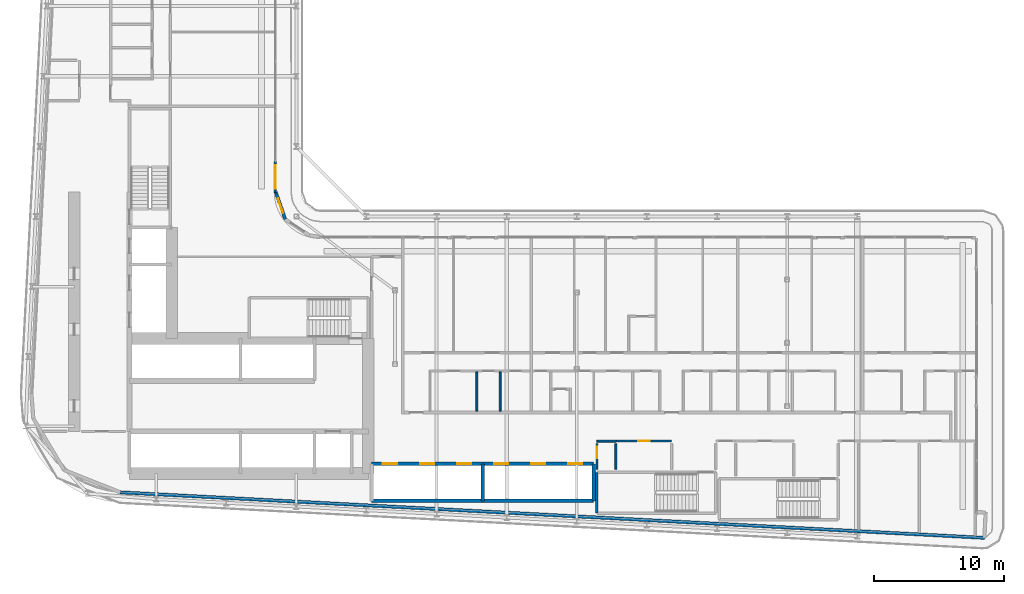
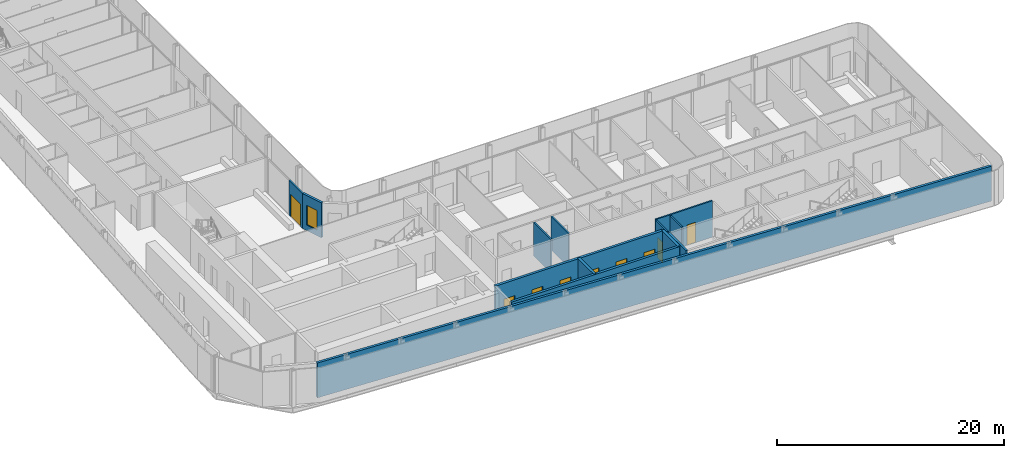
# One storey, part 14 of 28: 14 walls, 9 doors, 1 window, 10 openings.
"""IFC4 building model written with IfcOpenShell, lengths in metres."""

from ifc_helpers import new_model, si_unit, direction, frame, frame_2d, origin, place, context, subcontext, project, spatial, rectangle, extrude, source, transform, mapped, material, layer, layer_set, type_object, element, fill, save


model = new_model("IFC4")

# Units and contexts
model_context = context("Model", 3, precision=1e-05, world=origin(), true_north=direction((0.0, 1.0)))
body_context = subcontext(model_context, "Body", "Model", "MODEL_VIEW")
ifc_project = project(units=[si_unit("LENGTHUNIT", "METRE"), si_unit("AREAUNIT", "SQUARE_METRE"), si_unit("VOLUMEUNIT", "CUBIC_METRE"), si_unit("PLANEANGLEUNIT", "RADIAN"), si_unit("MASSUNIT", "GRAM", prefix="KILO")], contexts=[model_context])

# Site, building, storey
site_placement = place(None, origin())
site = spatial("IfcSite", under=ifc_project, at=site_placement, CompositionType="ELEMENT")
building_placement = place(site_placement, origin())
building = spatial("IfcBuilding", under=site, at=building_placement, Name="Kheshtan School and Residences Tower", CompositionType="ELEMENT")
storey_placement = place(building_placement, frame((0.0, 0.0, 133.10009765625)))
storey = spatial("IfcBuildingStorey", under=building, at=storey_placement, Name="L31", CompositionType="ELEMENT", Elevation=133.10009765625)

# Wall, opening, window
ifc_material_1 = material(Name="Concrete C40/50 with ceramic cladding and mineral wool insulation", Category="concrete")
ifc_layer_1 = layer(ifc_material_1, 0.25)
ifc_layer_set_1 = layer_set([ifc_layer_1], Name="External wall 250 ceramic clad")
wall_type_1 = type_object("IfcWallType", Name="External wall 250 ceramic clad", PredefinedType="SOLIDWALL", material=ifc_layer_set_1)
wall_1_placement = place(storey_placement, frame((46.01806640625, 47.470947265625, 0.0), z_axis=(0.0, 0.0, 1.0), x_axis=(0.328791208903, -0.944402637093, 0.0)))
wall_1 = element("IfcWall", 1, at=wall_1_placement, inside=storey, type_object=wall_type_1, Name="External wall L31 9", PredefinedType="SOLIDWALL", context=body_context, shape_type="SweptSolid", body=[
    extrude(rectangle(XDim=2.20458984375, YDim=0.25, at=frame_2d((1.102294921875, 0.0))), origin(), (0.0, 0.0, 1.0), 3.75),
])
opening_1_placement = place(wall_1_placement, frame((0.5029296875, 0.0, 0.60009765625)))
opening_1 = element("IfcOpeningElement", 2, at=opening_1_placement, cuts=wall_1, Name="Opening WN-E", PredefinedType="OPENING", context=body_context, shape_type="SweptSolid", body=[
    extrude(rectangle(XDim=1.199951171875, YDim=2.10009765625, at=frame_2d((0.60009765625, 1.050048828125))), frame((0.0, 0.135009765625, 0.0), z_axis=(0.0, -1.0, 0.0), x_axis=(1.0, 0.0, 0.0)), (0.0, 0.0, 1.0), 0.27001953125),
])
ifc_material_2 = material(Name="Clear low-e glass in thermally broken aluminium frame", Category="aluminium")
window_type = type_object("IfcWindowType", Name="Window WN-E", PartitioningType="SINGLE_PANEL", PredefinedType="WINDOW", material=ifc_material_2)
shared_shape_1 = source(origin(), body_context, "Body", "SweptSolid", [
    extrude(rectangle(XDim=1.199951171875, YDim=2.10009765625, at=frame_2d((0.60009765625, 1.050048828125))), frame((0.0, 0.030029296875, 0.0), z_axis=(0.0, -1.0, 0.0), x_axis=(1.0, 0.0, 0.0)), (0.0, 0.0, 1.0), 0.06005859375),
])
window_placement = place(opening_1_placement, origin())
window = element("IfcWindow", 3, at=window_placement, inside=storey, type_object=window_type, Name="Window L31 9", OverallHeight=2.10009765625, OverallWidth=1.199951171875, PartitioningType="SINGLE_PANEL", PredefinedType="WINDOW", context=body_context, shape_type="MappedRepresentation", body=[
    mapped(shared_shape_1, transform((0.0, 0.0, 0.0), x_axis=(1.0, 0.0, 0.0), y_axis=(0.0, 1.0, 0.0), z_axis=(0.0, 0.0, 1.0), scale=1.0)),
])
fill(opening_1, window)

# Wall
wall_2_placement = place(storey_placement, frame((100.5859375, 20.85009765625, 0.0), z_axis=(0.0, 0.0, 1.0), x_axis=(-0.99861746497, 0.052565755559, 0.0)))
element("IfcWall", 4, at=wall_2_placement, inside=storey, type_object=wall_type_1, Name="External wall L31 16", PredefinedType="SOLIDWALL", context=body_context, shape_type="SweptSolid", body=[
    extrude(rectangle(XDim=66.638916015625, YDim=0.25, at=frame_2d((33.3193359375, 0.0))), origin(), (0.0, 0.0, 1.0), 3.75),
])

# Wall, opening, door
ifc_material_3 = material(Name="Aluminium frame wall with insulated infill", Category="aluminium")
ifc_layer_2 = layer(ifc_material_3, 0.14990234375)
ifc_layer_set_2 = layer_set([ifc_layer_2], Name="Glazing frame wall 150")
wall_type_2 = type_object("IfcWallType", Name="Glazing frame wall 150", PredefinedType="SOLIDWALL", material=ifc_layer_set_2)
wall_3_placement = place(storey_placement, frame((45.97509765625, 49.830078125, 0.0), z_axis=(0.0, 0.0, 1.0), x_axis=(0.0, -1.0, 0.0)))
wall_3 = element("IfcWall", 5, at=wall_3_placement, inside=storey, type_object=wall_type_2, Name="Balcony door wall L31 8.5", PredefinedType="SOLIDWALL", context=body_context, shape_type="SweptSolid", body=[
    extrude(rectangle(XDim=2.400146484375, YDim=0.14990234375, at=frame_2d((1.2001953125, 0.0))), origin(), (0.0, 0.0, 1.0), 3.75),
])
opening_2_placement = place(wall_3_placement, frame((0.300048828125, 0.0, 0.0)))
opening_2 = element("IfcOpeningElement", 6, at=opening_2_placement, cuts=wall_3, Name="Opening BD", PredefinedType="OPENING", context=body_context, shape_type="SweptSolid", body=[
    extrude(rectangle(XDim=1.800048828125, YDim=2.39990234375, at=frame_2d((0.89990234375, 1.199951171875))), frame((0.0, 0.0849609375, 0.0), z_axis=(0.0, -1.0, 0.0), x_axis=(1.0, 0.0, 0.0)), (0.0, 0.0, 1.0), 0.169921875),
])
door_type_1 = type_object("IfcDoorType", Name="Balcony sliding door", OperationType="SLIDING_TO_LEFT", PredefinedType="DOOR", material=ifc_material_2)
shared_shape_2 = source(origin(), body_context, "Body", "SweptSolid", [
    extrude(rectangle(XDim=1.800048828125, YDim=2.39990234375, at=frame_2d((0.89990234375, 1.199951171875))), frame((0.0, 0.02490234375, 0.0), z_axis=(0.0, -1.0, 0.0), x_axis=(1.0, 0.0, 0.0)), (0.0, 0.0, 1.0), 0.050048828125),
])
door_1_placement = place(opening_2_placement, origin())
door_1 = element("IfcDoor", 7, at=door_1_placement, inside=storey, type_object=door_type_1, Name="Balcony door L31 8.5", OperationType="SLIDING_TO_LEFT", OverallHeight=2.39990234375, OverallWidth=1.800048828125, PredefinedType="DOOR", context=body_context, shape_type="MappedRepresentation", body=[
    mapped(shared_shape_2, transform((0.0, 0.0, 0.0), x_axis=(1.0, 0.0, 0.0), y_axis=(0.0, 1.0, 0.0), z_axis=(0.0, 0.0, 1.0), scale=1.0)),
])
fill(opening_2, door_1)

# Wall
ifc_material_4 = material(Name="Fire-board shaft wall system")
ifc_layer_3 = layer(ifc_material_4, 0.14990234375)
ifc_layer_set_3 = layer_set([ifc_layer_3], Name="Service room wall 150")
wall_type_3 = type_object("IfcWallType", Name="Service room wall 150", PredefinedType="PARTITIONING", material=ifc_layer_set_3)
wall_4_placement = place(storey_placement, frame((70.75, 28.300048828125, 0.0), z_axis=(0.0, 0.0, 1.0), x_axis=(1.0, 0.0, 0.0)))
element("IfcWall", 8, at=wall_4_placement, inside=storey, type_object=wall_type_3, Name="Service room wall", PredefinedType="PARTITIONING", context=body_context, shape_type="SweptSolid", body=[
    extrude(rectangle(XDim=1.467041015625, YDim=0.14990234375, at=frame_2d((0.7333984375, 0.0))), origin(), (0.0, 0.0, 1.0), 3.89990234375),
])

# Wall, opening, door
wall_5_placement = place(storey_placement, frame((70.75, 26.1201171875, 0.0), z_axis=(0.0, 0.0, 1.0), x_axis=(0.0, 1.0, 0.0)))
wall_5 = element("IfcWall", 9, at=wall_5_placement, inside=storey, type_object=wall_type_3, Name="Service room wall", PredefinedType="PARTITIONING", context=body_context, shape_type="SweptSolid", body=[
    extrude(rectangle(XDim=1.98486328125, YDim=0.14990234375, at=frame_2d((0.992431640625, 0.0))), origin(), (0.0, 0.0, 1.0), 3.89990234375),
])
opening_3_placement = place(wall_5_placement, frame((0.85498046875, 0.0, 0.0)))
opening_3 = element("IfcOpeningElement", 10, at=opening_3_placement, cuts=wall_5, Name="Opening SR90", PredefinedType="OPENING", context=body_context, shape_type="SweptSolid", body=[
    extrude(rectangle(XDim=0.89990234375, YDim=2.199951171875, at=frame_2d((0.449951171875, 1.10009765625))), frame((0.0, 0.0849609375, 0.0), z_axis=(0.0, -1.0, 0.0), x_axis=(1.0, 0.0, 0.0)), (0.0, 0.0, 1.0), 0.169921875),
])
ifc_material_5 = material(Name="Steel door leaf, galvanised", Category="steel")
door_type_2 = type_object("IfcDoorType", Name="Service room door 900 steel 90 min", OperationType="SINGLE_SWING_LEFT", PredefinedType="DOOR", material=ifc_material_5)
shared_shape_3 = source(origin(), body_context, "Body", "SweptSolid", [
    extrude(rectangle(XDim=0.89990234375, YDim=2.199951171875, at=frame_2d((0.449951171875, 1.10009765625))), frame((0.0, 0.02490234375, 0.0), z_axis=(0.0, -1.0, 0.0), x_axis=(1.0, 0.0, 0.0)), (0.0, 0.0, 1.0), 0.050048828125),
])
door_2_placement = place(opening_3_placement, origin())
door_2 = element("IfcDoor", 11, at=door_2_placement, inside=storey, type_object=door_type_2, Name="Service room door", OperationType="SINGLE_SWING_LEFT", OverallHeight=2.199951171875, OverallWidth=0.89990234375, PredefinedType="DOOR", context=body_context, shape_type="MappedRepresentation", body=[
    mapped(shared_shape_3, transform((0.0, 0.0, 0.0), x_axis=(1.0, 0.0, 0.0), y_axis=(0.0, 1.0, 0.0), z_axis=(0.0, 0.0, 1.0), scale=1.0)),
])
fill(opening_3, door_2)

# Wall
wall_6_placement = place(storey_placement, frame((72.217041015625, 26.1201171875, 0.0), z_axis=(0.0, 0.0, 1.0), x_axis=(0.0, 1.0, 0.0)))
element("IfcWall", 12, at=wall_6_placement, inside=storey, type_object=wall_type_3, Name="Service room wall", PredefinedType="PARTITIONING", context=body_context, shape_type="SweptSolid", body=[
    extrude(rectangle(XDim=1.98486328125, YDim=0.14990234375, at=frame_2d((0.992431640625, 0.0))), origin(), (0.0, 0.0, 1.0), 3.89990234375),
])

# Wall, opening, door
wall_7_placement = place(storey_placement, frame((72.217041015625, 28.300048828125, 0.0), z_axis=(0.0, 0.0, 1.0), x_axis=(1.0, 0.0, 0.0)))
wall_7 = element("IfcWall", 13, at=wall_7_placement, inside=storey, type_object=wall_type_3, Name="Service room wall", PredefinedType="PARTITIONING", context=body_context, shape_type="SweptSolid", body=[
    extrude(rectangle(XDim=4.29296875, YDim=0.14990234375, at=frame_2d((2.146484375, 0.0))), origin(), (0.0, 0.0, 1.0), 3.89990234375),
])
opening_4_placement = place(wall_7_placement, frame((1.697021484375, 0.0, 0.0)))
opening_4 = element("IfcOpeningElement", 14, at=opening_4_placement, cuts=wall_7, Name="Opening SR90", PredefinedType="OPENING", context=body_context, shape_type="SweptSolid", body=[
    extrude(rectangle(XDim=0.89990234375, YDim=2.199951171875, at=frame_2d((0.449951171875, 1.10009765625))), frame((0.0, 0.0849609375, 0.0), z_axis=(0.0, -1.0, 0.0), x_axis=(1.0, 0.0, 0.0)), (0.0, 0.0, 1.0), 0.169921875),
])
door_3_placement = place(opening_4_placement, origin())
door_3 = element("IfcDoor", 15, at=door_3_placement, inside=storey, type_object=door_type_2, Name="Service room door", OperationType="SINGLE_SWING_RIGHT", OverallHeight=2.199951171875, OverallWidth=0.89990234375, PredefinedType="DOOR", context=body_context, shape_type="MappedRepresentation", body=[
    mapped(shared_shape_3, transform((0.0, 0.0, 0.0), x_axis=(1.0, 0.0, 0.0), y_axis=(0.0, 1.0, 0.0), z_axis=(0.0, 0.0, 1.0), scale=1.0)),
])
fill(opening_4, door_3)

# Walls
ifc_layer_4 = layer(ifc_material_4, 0.25)
ifc_layer_set_4 = layer_set([ifc_layer_4], Name="Shaft lining wall 250")
wall_type_4 = type_object("IfcWallType", Name="Shaft lining wall 250", PredefinedType="PARTITIONING", material=ifc_layer_set_4)
for number, where, z_axis, x_axis, name in (
    (16, (61.949951171875, 23.699951171875, 0.0), (0.0, 0.0, 1.0), (0.0, 1.0, 0.0), "Shaft lining wall"),
    (17, (70.5, 23.699951171875, 0.0), (0.0, 0.0, 1.0), (0.0, 1.0, 0.0), "Shaft lining wall"),
):
    element("IfcWall", number, at=place(storey_placement, frame(where, z_axis=z_axis, x_axis=x_axis)), inside=storey, type_object=wall_type_4, Name=name, PredefinedType="PARTITIONING", context=body_context, shape_type="SweptSolid", body=[
        extrude(rectangle(XDim=2.85009765625, YDim=0.25, at=frame_2d((1.425048828125, 0.0))), origin(), (0.0, 0.0, 1.0), 3.89990234375),
    ])
wall_8_placement = place(storey_placement, frame((53.39990234375, 23.699951171875, 0.0), z_axis=(0.0, 0.0, 1.0), x_axis=(1.0, 0.0, 0.0)))
element("IfcWall", 18, at=wall_8_placement, inside=storey, type_object=wall_type_4, Name="Shaft lining wall", PredefinedType="PARTITIONING", context=body_context, shape_type="SweptSolid", body=[
    extrude(rectangle(XDim=17.10009765625, YDim=0.25, at=frame_2d((8.550048828125, 0.0))), origin(), (0.0, 0.0, 1.0), 3.89990234375),
])

# Wall, openings, doors
wall_9_placement = place(storey_placement, frame((53.39990234375, 26.550048828125, 0.0), z_axis=(0.0, 0.0, 1.0), x_axis=(1.0, 0.0, 0.0)))
wall_9 = element("IfcWall", 19, at=wall_9_placement, inside=storey, type_object=wall_type_4, Name="Shaft lining wall", PredefinedType="PARTITIONING", context=body_context, shape_type="SweptSolid", body=[
    extrude(rectangle(XDim=17.10009765625, YDim=0.25, at=frame_2d((8.550048828125, 0.0))), origin(), (0.0, 0.0, 1.0), 3.89990234375),
])
opening_5_placement = place(wall_9_placement, frame((0.875, 0.0, 0.0)))
opening_5 = element("IfcOpeningElement", 20, at=opening_5_placement, cuts=wall_9, Name="Opening LD", PredefinedType="OPENING", context=body_context, shape_type="SweptSolid", body=[
    extrude(rectangle(XDim=1.10009765625, YDim=2.199951171875, at=frame_2d((0.550048828125, 1.10009765625))), frame((0.0, 0.135009765625, 0.0), z_axis=(0.0, -1.0, 0.0), x_axis=(1.0, 0.0, 0.0)), (0.0, 0.0, 1.0), 0.27001953125),
])
opening_6_placement = place(wall_9_placement, frame((3.72509765625, 0.0, 0.0)))
opening_6 = element("IfcOpeningElement", 21, at=opening_6_placement, cuts=wall_9, Name="Opening LD", PredefinedType="OPENING", context=body_context, shape_type="SweptSolid", body=[
    extrude(rectangle(XDim=1.10009765625, YDim=2.199951171875, at=frame_2d((0.550048828125, 1.10009765625))), frame((0.0, 0.135009765625, 0.0), z_axis=(0.0, -1.0, 0.0), x_axis=(1.0, 0.0, 0.0)), (0.0, 0.0, 1.0), 0.27001953125),
])
opening_7_placement = place(wall_9_placement, frame((6.574951171875, 0.0, 0.0)))
opening_7 = element("IfcOpeningElement", 22, at=opening_7_placement, cuts=wall_9, Name="Opening LD", PredefinedType="OPENING", context=body_context, shape_type="SweptSolid", body=[
    extrude(rectangle(XDim=1.10009765625, YDim=2.199951171875, at=frame_2d((0.550048828125, 1.10009765625))), frame((0.0, 0.135009765625, 0.0), z_axis=(0.0, -1.0, 0.0), x_axis=(1.0, 0.0, 0.0)), (0.0, 0.0, 1.0), 0.27001953125),
])
opening_8_placement = place(wall_9_placement, frame((9.425048828125, 0.0, 0.0)))
opening_8 = element("IfcOpeningElement", 23, at=opening_8_placement, cuts=wall_9, Name="Opening LD", PredefinedType="OPENING", context=body_context, shape_type="SweptSolid", body=[
    extrude(rectangle(XDim=1.10009765625, YDim=2.199951171875, at=frame_2d((0.550048828125, 1.10009765625))), frame((0.0, 0.135009765625, 0.0), z_axis=(0.0, -1.0, 0.0), x_axis=(1.0, 0.0, 0.0)), (0.0, 0.0, 1.0), 0.27001953125),
])
opening_9_placement = place(wall_9_placement, frame((12.27490234375, 0.0, 0.0)))
opening_9 = element("IfcOpeningElement", 24, at=opening_9_placement, cuts=wall_9, Name="Opening LD", PredefinedType="OPENING", context=body_context, shape_type="SweptSolid", body=[
    extrude(rectangle(XDim=1.10009765625, YDim=2.199951171875, at=frame_2d((0.550048828125, 1.10009765625))), frame((0.0, 0.135009765625, 0.0), z_axis=(0.0, -1.0, 0.0), x_axis=(1.0, 0.0, 0.0)), (0.0, 0.0, 1.0), 0.27001953125),
])
opening_10_placement = place(wall_9_placement, frame((15.125, 0.0, 0.0)))
opening_10 = element("IfcOpeningElement", 25, at=opening_10_placement, cuts=wall_9, Name="Opening LD", PredefinedType="OPENING", context=body_context, shape_type="SweptSolid", body=[
    extrude(rectangle(XDim=1.10009765625, YDim=2.199951171875, at=frame_2d((0.550048828125, 1.10009765625))), frame((0.0, 0.135009765625, 0.0), z_axis=(0.0, -1.0, 0.0), x_axis=(1.0, 0.0, 0.0)), (0.0, 0.0, 1.0), 0.27001953125),
])
ifc_material_6 = material(Name="Stainless steel door leaves", Category="steel")
door_type_3 = type_object("IfcDoorType", Name="Lift landing door 1100", OperationType="SLIDING_TO_LEFT", PredefinedType="DOOR", material=ifc_material_6)
shared_shape_4 = source(origin(), body_context, "Body", "SweptSolid", [
    extrude(rectangle(XDim=1.10009765625, YDim=2.199951171875, at=frame_2d((0.550048828125, 1.10009765625))), frame((0.0, 0.02490234375, 0.0), z_axis=(0.0, -1.0, 0.0), x_axis=(1.0, 0.0, 0.0)), (0.0, 0.0, 1.0), 0.050048828125),
])
door_4_placement = place(opening_5_placement, origin())
door_4 = element("IfcDoor", 26, at=door_4_placement, inside=storey, type_object=door_type_3, Name="Lift P1 landing door", OperationType="SLIDING_TO_LEFT", OverallHeight=2.199951171875, OverallWidth=1.10009765625, PredefinedType="DOOR", context=body_context, shape_type="MappedRepresentation", body=[
    mapped(shared_shape_4, transform((0.0, 0.0, 0.0), x_axis=(1.0, 0.0, 0.0), y_axis=(0.0, 1.0, 0.0), z_axis=(0.0, 0.0, 1.0), scale=1.0)),
])
fill(opening_5, door_4)
door_5_placement = place(opening_6_placement, origin())
door_5 = element("IfcDoor", 27, at=door_5_placement, inside=storey, type_object=door_type_3, Name="Lift P2 landing door", OperationType="SLIDING_TO_LEFT", OverallHeight=2.199951171875, OverallWidth=1.10009765625, PredefinedType="DOOR", context=body_context, shape_type="MappedRepresentation", body=[
    mapped(shared_shape_4, transform((0.0, 0.0, 0.0), x_axis=(1.0, 0.0, 0.0), y_axis=(0.0, 1.0, 0.0), z_axis=(0.0, 0.0, 1.0), scale=1.0)),
])
fill(opening_6, door_5)
door_6_placement = place(opening_7_placement, origin())
door_6 = element("IfcDoor", 28, at=door_6_placement, inside=storey, type_object=door_type_3, Name="Lift P3 landing door", OperationType="SLIDING_TO_LEFT", OverallHeight=2.199951171875, OverallWidth=1.10009765625, PredefinedType="DOOR", context=body_context, shape_type="MappedRepresentation", body=[
    mapped(shared_shape_4, transform((0.0, 0.0, 0.0), x_axis=(1.0, 0.0, 0.0), y_axis=(0.0, 1.0, 0.0), z_axis=(0.0, 0.0, 1.0), scale=1.0)),
])
fill(opening_7, door_6)
door_7_placement = place(opening_8_placement, origin())
door_7 = element("IfcDoor", 29, at=door_7_placement, inside=storey, type_object=door_type_3, Name="Lift P4 landing door", OperationType="SLIDING_TO_LEFT", OverallHeight=2.199951171875, OverallWidth=1.10009765625, PredefinedType="DOOR", context=body_context, shape_type="MappedRepresentation", body=[
    mapped(shared_shape_4, transform((0.0, 0.0, 0.0), x_axis=(1.0, 0.0, 0.0), y_axis=(0.0, 1.0, 0.0), z_axis=(0.0, 0.0, 1.0), scale=1.0)),
])
fill(opening_8, door_7)
door_8_placement = place(opening_9_placement, origin())
door_8 = element("IfcDoor", 30, at=door_8_placement, inside=storey, type_object=door_type_3, Name="Lift P5 landing door", OperationType="SLIDING_TO_LEFT", OverallHeight=2.199951171875, OverallWidth=1.10009765625, PredefinedType="DOOR", context=body_context, shape_type="MappedRepresentation", body=[
    mapped(shared_shape_4, transform((0.0, 0.0, 0.0), x_axis=(1.0, 0.0, 0.0), y_axis=(0.0, 1.0, 0.0), z_axis=(0.0, 0.0, 1.0), scale=1.0)),
])
fill(opening_9, door_8)
door_9_placement = place(opening_10_placement, origin())
door_9 = element("IfcDoor", 31, at=door_9_placement, inside=storey, type_object=door_type_3, Name="Lift P6 landing door", OperationType="SLIDING_TO_LEFT", OverallHeight=2.199951171875, OverallWidth=1.10009765625, PredefinedType="DOOR", context=body_context, shape_type="MappedRepresentation", body=[
    mapped(shared_shape_4, transform((0.0, 0.0, 0.0), x_axis=(1.0, 0.0, 0.0), y_axis=(0.0, 1.0, 0.0), z_axis=(0.0, 0.0, 1.0), scale=1.0)),
])
fill(opening_10, door_9)

# Walls
ifc_material_7 = material(Name="Concrete C40/50", Category="concrete")
ifc_layer_5 = layer(ifc_material_7, 0.199951171875)
ifc_layer_set_5 = layer_set([ifc_layer_5], Name="Stair enclosure wall 200 Concrete C40/50")
wall_type_5 = type_object("IfcWallType", Name="Stair enclosure wall 200 Concrete C40/50", PredefinedType="SHEAR", material=ifc_layer_set_5)
wall_10_placement = place(storey_placement, frame((70.75, 22.75, 0.0), z_axis=(0.0, 0.0, 1.0), x_axis=(0.0, 1.0, 0.0)))
element("IfcWall", 32, at=wall_10_placement, inside=storey, type_object=wall_type_5, Name="Stair enclosure wall ST5", PredefinedType="SHEAR", context=body_context, shape_type="SweptSolid", body=[
    extrude(rectangle(XDim=3.14990234375, YDim=0.199951171875, at=frame_2d((1.574951171875, 0.0))), origin(), (0.0, 0.0, 1.0), 3.89990234375),
])
ifc_material_8 = material(Name="Moisture-resistant gypsum board on steel studs", Category="steel")
ifc_layer_6 = layer(ifc_material_8, 0.14990234375)
ifc_layer_set_6 = layer_set([ifc_layer_6], Name="Wet-room partition 150")
wall_type_6 = type_object("IfcWallType", Name="Wet-room partition 150", PredefinedType="PARTITIONING", material=ifc_layer_set_6)
for number, where, z_axis, x_axis, name in (
    (33, (61.5, 30.60009765625, 0.0), (0.0, 0.0, 1.0), (0.0, 1.0, 0.0), "Partition L31-052"),
    (34, (63.300048828125, 30.60009765625, 0.0), (0.0, 0.0, 1.0), (0.0, 1.0, 0.0), "Partition L31-053"),
):
    element("IfcWall", number, at=place(storey_placement, frame(where, z_axis=z_axis, x_axis=x_axis)), inside=storey, type_object=wall_type_6, Name=name, PredefinedType="PARTITIONING", context=body_context, shape_type="SweptSolid", body=[
        extrude(rectangle(XDim=3.02490234375, YDim=0.14990234375, at=frame_2d((1.512451171875, 0.0))), origin(), (0.0, 0.0, 1.0), 3.599853515625),
    ])

save(model, "model.ifc")
